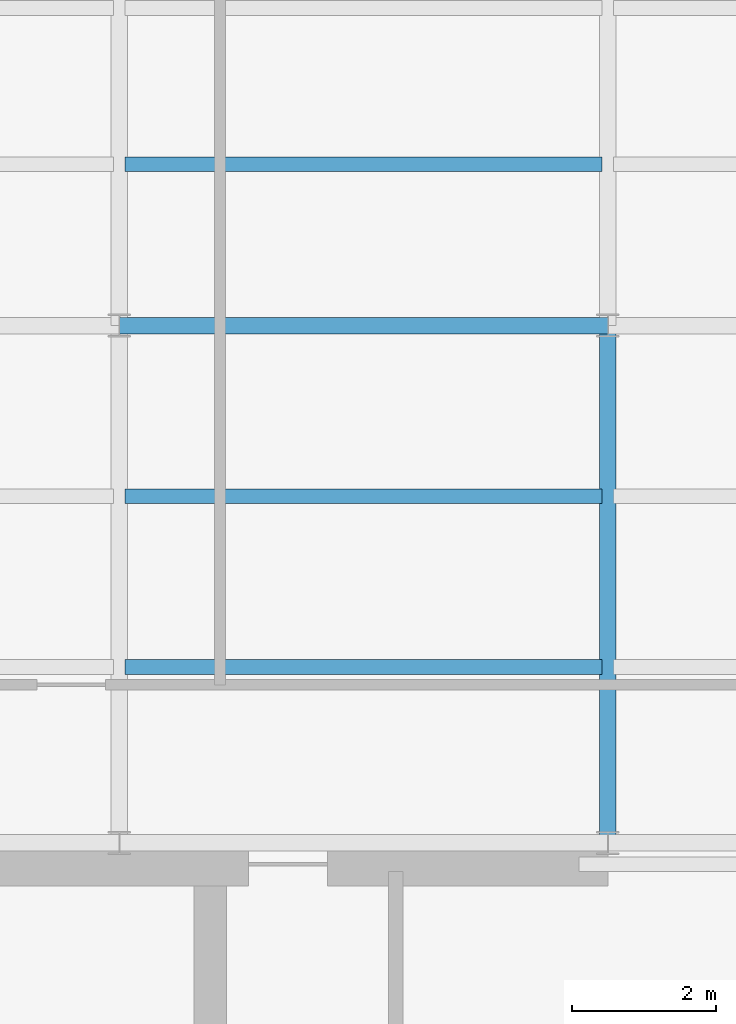
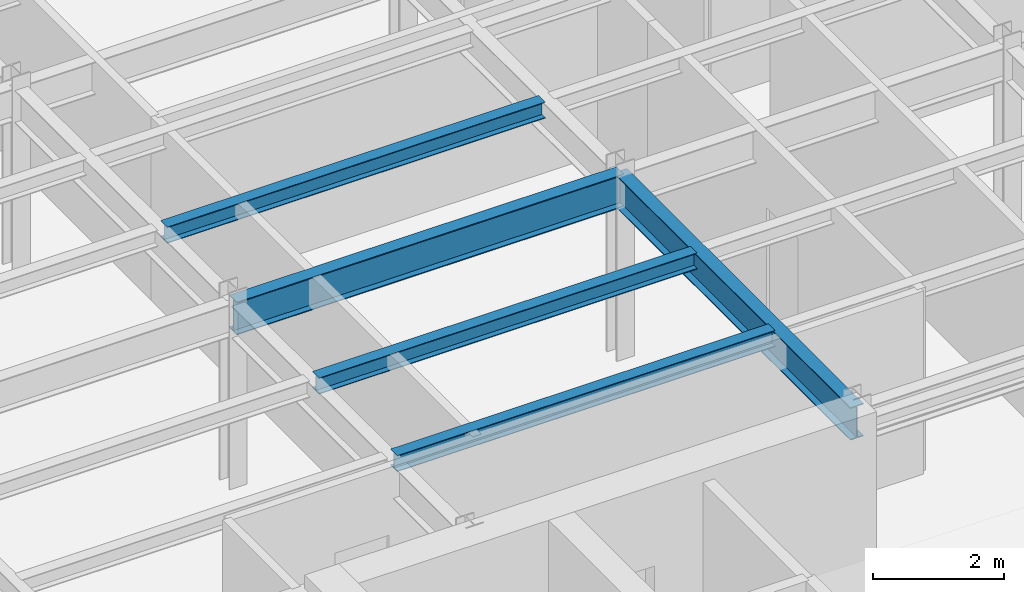
# One storey, part 6 of 22: 5 beams.
"""IFC4 building model written with IfcOpenShell, lengths in metres."""

from ifc_helpers import new_model, si_unit, derived_unit, direction, frame, origin, origin_2d, place, context, subcontext, project, spatial, i_section, extrude, source, transform, mapped, material, material_profile, profile_set, type_object, element, save


model = new_model("IFC4")

# Units and contexts
model_context = context("Model", 3, precision=1e-05, world=origin(), true_north=direction((0.0, 1.0)))
body_context = subcontext(model_context, "Body", "Model", "MODEL_VIEW")
ifc_project = project(units=[si_unit("LENGTHUNIT", "METRE"), si_unit("AREAUNIT", "SQUARE_METRE"), si_unit("VOLUMEUNIT", "CUBIC_METRE"), si_unit("PLANEANGLEUNIT", "RADIAN"), si_unit("MASSUNIT", "GRAM", prefix="KILO"), derived_unit("THERMALTRANSMITTANCEUNIT", [(si_unit("POWERUNIT", "WATT"), 1), (si_unit("LENGTHUNIT", "METRE"), -2), (si_unit("THERMODYNAMICTEMPERATUREUNIT", "KELVIN"), -1)])], contexts=[model_context])

# Site, building, storey
site_placement = place(None, origin())
site = spatial("IfcSite", under=ifc_project, at=site_placement, CompositionType="ELEMENT")
building_placement = place(site_placement, origin())
building = spatial("IfcBuilding", under=site, at=building_placement, Name="Skarnbrae Concourse Arena and Tower", CompositionType="ELEMENT")
storey_placement = place(building_placement, frame((0.0, 0.0, 258.800048828125)))
storey = spatial("IfcBuildingStorey", under=building, at=storey_placement, Name="L67", CompositionType="ELEMENT", Elevation=258.800048828125)

# Beams
ifc_material = material(Name="Steel CSA G40.21 350W", Category="steel")
ifc_material_profile_1 = material_profile(ifc_material, i_section(OverallWidth=0.22802734375, OverallDepth=0.60791015625, WebThickness=0.01123046875, FlangeThickness=0.017333984375, at=origin_2d()), Name="W610X113")
ifc_profile_set_1 = profile_set([ifc_material_profile_1], Name="Steel CSA G40.21 350W")
beam_type_1 = type_object("IfcBeamType", Name="BM-GIRD-W610X113", PredefinedType="BEAM", material=ifc_profile_set_1)
shared_shape_1 = source(origin(), body_context, "Body", "SweptSolid", [
    extrude(i_section(OverallWidth=0.22802734375, OverallDepth=0.60791015625, WebThickness=0.01123046875, FlangeThickness=0.017333984375, at=origin_2d()), origin(), (0.0, 0.0, 1.0), 6.7998046875),
])
beam_1_placement = place(storey_placement, frame((7.60009765625, 21.199951171875, 3.095947265625), z_axis=(1.0, 0.0, 0.0), x_axis=(0.0, 1.0, 0.0)))
element("IfcBeam", 1, at=beam_1_placement, inside=storey, type_object=beam_type_1, Name="L67 Primary E-W girder Y21.2-2", PredefinedType="BEAM", context=body_context, shape_type="MappedRepresentation", body=[
    mapped(shared_shape_1, transform((0.0, 0.0, 0.0))),
])
shared_shape_2 = source(origin(), body_context, "Body", "SweptSolid", [
    extrude(i_section(OverallWidth=0.22802734375, OverallDepth=0.60791015625, WebThickness=0.01123046875, FlangeThickness=0.017333984375, at=origin_2d()), origin(), (0.0, 0.0, 1.0), 7.199951171875),
])
beam_2_placement = place(storey_placement, frame((14.39990234375, 14.0, 3.095947265625), z_axis=(0.0, 1.0, 0.0), x_axis=(-1.0, 0.0, 0.0)))
element("IfcBeam", 2, at=beam_2_placement, inside=storey, type_object=beam_type_1, Name="L67 Primary N-S girder X14.4-1", PredefinedType="BEAM", context=body_context, shape_type="MappedRepresentation", body=[
    mapped(shared_shape_2, transform((0.0, 0.0, 0.0))),
])
ifc_material_profile_2 = material_profile(ifc_material, i_section(OverallWidth=0.202880859375, OverallDepth=0.302978515625, WebThickness=0.007568359375, FlangeThickness=0.01318359375, at=origin_2d()), Name="W310X60")
ifc_profile_set_2 = profile_set([ifc_material_profile_2], Name="Steel CSA G40.21 350W")
beam_type_2 = type_object("IfcBeamType", Name="BM-JOIST-W310X60", PredefinedType="JOIST", material=ifc_profile_set_2)
shared_shape_3 = source(origin(), body_context, "Body", "SweptSolid", [
    extrude(i_section(OverallWidth=0.202880859375, OverallDepth=0.302978515625, WebThickness=0.007568359375, FlangeThickness=0.01318359375, at=origin_2d()), origin(), (0.0, 0.0, 1.0), 6.64013671875),
])
for number, where, z_axis, x_axis, name in (
    (3, (7.679931640625, 16.447998046875, 3.24853515625), (1.0, 0.0, 0.0), (0.0, 1.0, 0.0), "L67 Secondary floor joist 1.1.2"),
    (4, (7.679931640625, 18.823974609375, 3.24853515625), (1.0, 0.0, 0.0), (0.0, 1.0, 0.0), "L67 Secondary floor joist 1.2.2"),
    (5, (7.679931640625, 23.444091796875, 3.24853515625), (1.0, 0.0, 0.0), (0.0, 1.0, 0.0), "L67 Secondary floor joist 2.1.2"),
):
    element("IfcBeam", number, at=place(storey_placement, frame(where, z_axis=z_axis, x_axis=x_axis)), inside=storey, type_object=beam_type_2, Name=name, PredefinedType="JOIST", context=body_context, shape_type="MappedRepresentation", body=[
        mapped(shared_shape_3, transform((0.0, 0.0, 0.0))),
    ])

save(model, "model.ifc")
